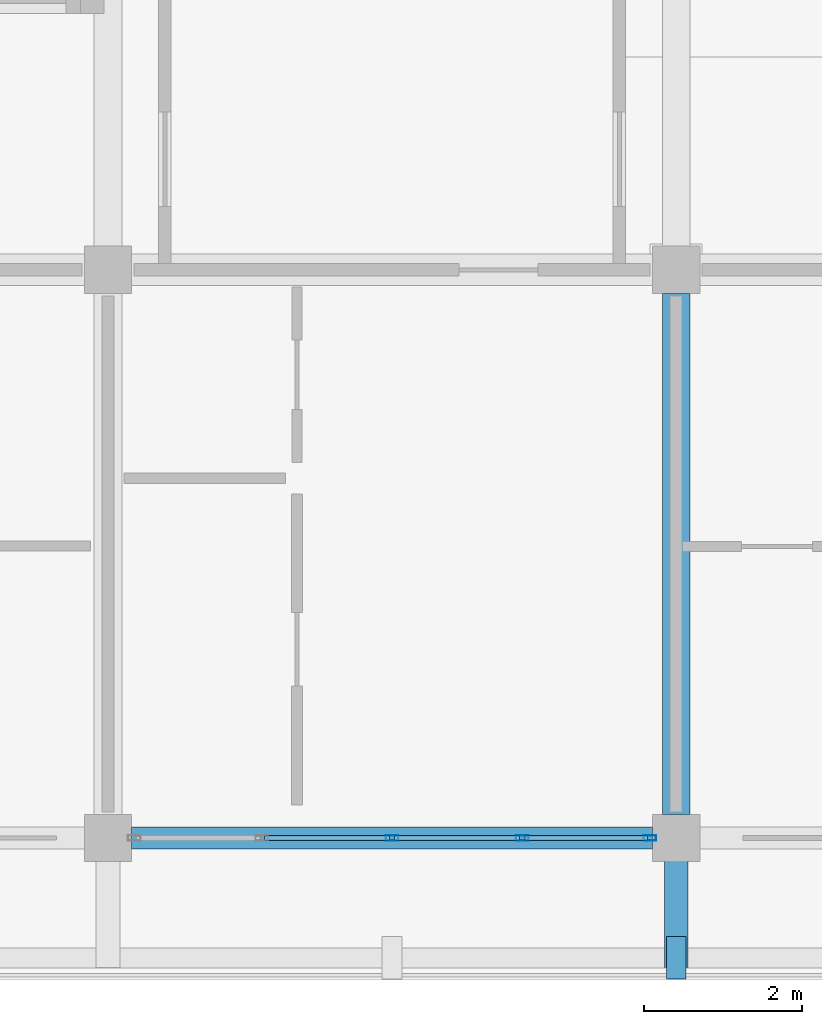
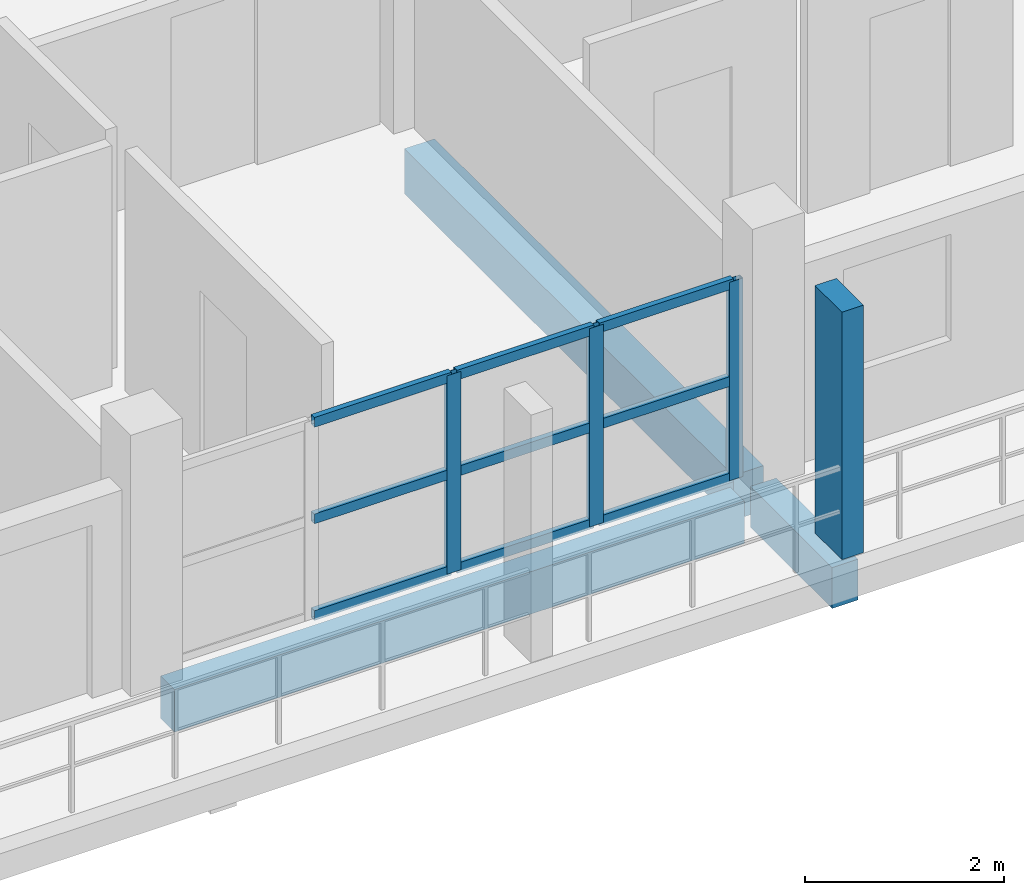
# One storey, part 28 of 78: 13 members, 3 beams, 1 element without a shape of its own.
"""IFC4 building model written with IfcOpenShell, lengths in metres."""

from ifc_helpers import new_model, si_unit, direction, frame, origin, origin_2d, place, context, subcontext, project, spatial, rectangle, hollow_rectangle, extrude, material, material_profile, profile_set, type_object, element, aggregate, save


model = new_model("IFC4")

# Units and contexts
model_context = context("Model", 3, precision=1e-05, world=origin(), true_north=direction((0.0, 1.0)))
body_context = subcontext(model_context, "Body", "Model", "MODEL_VIEW")
ifc_project = project(units=[si_unit("LENGTHUNIT", "METRE"), si_unit("AREAUNIT", "SQUARE_METRE"), si_unit("VOLUMEUNIT", "CUBIC_METRE"), si_unit("PLANEANGLEUNIT", "RADIAN"), si_unit("MASSUNIT", "GRAM", prefix="KILO")], contexts=[model_context])

# Site, building, storey
site_placement = place(None, origin())
site = spatial("IfcSite", under=ifc_project, at=site_placement, CompositionType="ELEMENT")
building_placement = place(site_placement, origin())
building = spatial("IfcBuilding", under=site, at=building_placement, Name="Suanplinth Sawtooth Commons", CompositionType="ELEMENT")
storey_placement = place(building_placement, frame((0.0, 0.0, 15.39990234375)))
storey = spatial("IfcBuildingStorey", under=building, at=storey_placement, Name="L04", CompositionType="ELEMENT", Elevation=15.39990234375)

# Beams
ifc_material_1 = material(Name="Precast concrete C40/50", Category="concrete")
ifc_material_profile_1 = material_profile(ifc_material_1, rectangle(XDim=0.35009765625, YDim=0.550048828125, at=origin_2d()), Name="PC-BM 350x550")
ifc_profile_set_1 = profile_set([ifc_material_profile_1], Name="Precast concrete C40/50")
beam_type_1 = type_object("IfcBeamType", Name="B-06", PredefinedType="BEAM", material=ifc_profile_set_1)
beam_1_placement = place(storey_placement, frame((172.800048828125, 0.300048828125, -0.494873046875), z_axis=(0.0, 1.0, 0.0), x_axis=(-1.0, 0.0, 0.0)))
element("IfcBeam", 1, at=beam_1_placement, inside=storey, type_object=beam_type_1, Name="BMY-L04-C-24-0", PredefinedType="BEAM", context=body_context, shape_type="SweptSolid", body=[
    extrude(rectangle(XDim=0.35009765625, YDim=0.550048828125, at=origin_2d()), origin(), (0.0, 0.0, 1.0), 6.599853515625),
])
ifc_material_profile_2 = material_profile(ifc_material_1, rectangle(XDim=0.300048828125, YDim=0.5, at=origin_2d()), Name="PC-BM 300x500")
ifc_profile_set_2 = profile_set([ifc_material_profile_2], Name="Precast concrete C40/50")
beam_type_2 = type_object("IfcBeamType", Name="B-07", PredefinedType="BEAM", material=ifc_profile_set_2)
beam_2_placement = place(storey_placement, frame((172.800048828125, 0.0, -0.429931640625), z_axis=(0.0, -1.0, 0.0), x_axis=(1.0, 0.0, 0.0)))
element("IfcBeam", 2, at=beam_2_placement, inside=storey, type_object=beam_type_2, Name="Balcony Outrigger L04-C-S-24", PredefinedType="BEAM", context=body_context, shape_type="SweptSolid", body=[
    extrude(rectangle(XDim=0.300048828125, YDim=0.5, at=origin_2d()), origin(), (0.0, 0.0, 1.0), 1.639892578125),
])
ifc_material_profile_3 = material_profile(ifc_material_1, rectangle(XDim=0.280029296875, YDim=0.52001953125, at=origin_2d()), Name="PC-SP 280x520")
ifc_profile_set_3 = profile_set([ifc_material_profile_3], Name="Precast concrete C40/50")
beam_type_3 = type_object("IfcBeamType", Name="B-08", PredefinedType="SPANDREL", material=ifc_profile_set_3)
beam_3_placement = place(storey_placement, frame((165.89990234375, 0.0, -0.47998046875), z_axis=(1.0, 0.0, 0.0), x_axis=(0.0, 1.0, 0.0)))
element("IfcBeam", 3, at=beam_3_placement, inside=storey, type_object=beam_type_3, Name="BMX-L04-C-23-0", PredefinedType="SPANDREL", context=body_context, shape_type="SweptSolid", body=[
    extrude(rectangle(XDim=0.280029296875, YDim=0.52001953125, at=origin_2d()), origin(), (0.0, 0.0, 1.0), 6.60009765625),
])

# Member
ifc_material_2 = material(Name="Pigmented precast concrete C40/50", Category="concrete")
ifc_material_profile_4 = material_profile(ifc_material_2, rectangle(XDim=0.25, YDim=0.5400390625, at=origin_2d()), Name="PC-FIN 250x540")
ifc_profile_set_4 = profile_set([ifc_material_profile_4], Name="Pigmented precast concrete C40/50")
member_type_1 = type_object("IfcMemberType", Name="M-11", PredefinedType="USERDEFINED", material=ifc_profile_set_4)
member_1_placement = place(storey_placement, frame((172.800048828125, -1.52001953125, 0.0), z_axis=(0.0, 0.0, 1.0), x_axis=(1.0, 0.0, 0.0)))
element("IfcMember", 4, at=member_1_placement, inside=storey, type_object=member_type_1, Name="Upright Solar Blade L04-C-S-06", ObjectType="SHADING FIN", PredefinedType="USERDEFINED", context=body_context, shape_type="SweptSolid", body=[
    extrude(rectangle(XDim=0.25, YDim=0.5400390625, at=origin_2d()), origin(), (0.0, 0.0, 1.0), 3.030029296875),
])

# Curtain wall, members
ifc_material_3 = material(Name="Anodized aluminium and low-E glazing", Category="aluminium")
curtain_wall_type = type_object("IfcCurtainWallType", Name="CW-06", PredefinedType="USERDEFINED", material=ifc_material_3)
curtain_wall_placement = place(storey_placement, origin())
curtain_wall = element("IfcCurtainWall", 5, at=curtain_wall_placement, inside=storey, type_object=curtain_wall_type, Name="Curtain Wall CW-L04-C-LOUNGE-23", ObjectType="CURTAIN WALL", PredefinedType="USERDEFINED")
ifc_material_4 = material(Name="Anodized aluminium 6063-T6", Category="aluminium")
ifc_material_profile_5 = material_profile(ifc_material_4, hollow_rectangle(XDim=0.06494140625, YDim=0.159912109375, WallThickness=0.00390625, at=origin_2d()), Name="ALU-MUL 65x160")
ifc_profile_set_5 = profile_set([ifc_material_profile_5], Name="Anodized aluminium 6063-T6")
member_type_2 = type_object("IfcMemberType", Name="M-13", PredefinedType="MULLION", material=ifc_profile_set_5)
member_2_placement = place(storey_placement, frame((169.199951171875, 0.0, 0.0), z_axis=(0.0, 0.0, 1.0), x_axis=(0.0, 1.0, 0.0)))
member_2 = element("IfcMember", 6, at=member_2_placement, type_object=member_type_2, Name="CW-06 mullion 3", PredefinedType="MULLION", context=body_context, shape_type="SweptSolid", body=[
    extrude(hollow_rectangle(XDim=0.06494140625, YDim=0.159912109375, WallThickness=0.00390625, at=origin_2d()), origin(), (0.0, 0.0, 1.0), 2.43017578125),
])
member_3_placement = place(storey_placement, frame((170.85009765625, 0.0, 0.0), z_axis=(0.0, 0.0, 1.0), x_axis=(0.0, 1.0, 0.0)))
member_3 = element("IfcMember", 7, at=member_3_placement, type_object=member_type_2, Name="CW-06 mullion 4", PredefinedType="MULLION", context=body_context, shape_type="SweptSolid", body=[
    extrude(hollow_rectangle(XDim=0.06494140625, YDim=0.159912109375, WallThickness=0.00390625, at=origin_2d()), origin(), (0.0, 0.0, 1.0), 2.43017578125),
])
member_4_placement = place(storey_placement, frame((172.467529296875, 0.0, 0.0), z_axis=(0.0, 0.0, 1.0), x_axis=(0.0, 1.0, 0.0)))
member_4 = element("IfcMember", 8, at=member_4_placement, type_object=member_type_2, Name="CW-06 mullion 5", PredefinedType="MULLION", context=body_context, shape_type="SweptSolid", body=[
    extrude(hollow_rectangle(XDim=0.06494140625, YDim=0.159912109375, WallThickness=0.00390625, at=origin_2d()), origin(), (0.0, 0.0, 1.0), 2.43017578125),
])
ifc_material_profile_6 = material_profile(ifc_material_4, hollow_rectangle(XDim=0.06494140625, YDim=0.1201171875, WallThickness=0.00390625, at=origin_2d()), Name="ALU-TRN 65x120")
ifc_profile_set_6 = profile_set([ifc_material_profile_6], Name="Anodized aluminium 6063-T6")
member_type_3 = type_object("IfcMemberType", Name="M-15", PredefinedType="USERDEFINED", material=ifc_profile_set_6)
member_5_placement = place(storey_placement, frame((167.58251953125, 0.0, 0.03271484375), z_axis=(1.0, 0.0, 0.0), x_axis=(0.0, 1.0, 0.0)))
member_5 = element("IfcMember", 9, at=member_5_placement, type_object=member_type_3, Name="CW-06 transom 2.1", ObjectType="TRANSOM", PredefinedType="USERDEFINED", context=body_context, shape_type="SweptSolid", body=[
    extrude(hollow_rectangle(XDim=0.06494140625, YDim=0.1201171875, WallThickness=0.00390625, at=origin_2d()), origin(), (0.0, 0.0, 1.0), 1.5849609375),
])
member_6_placement = place(storey_placement, frame((167.58251953125, 0.0, 1.215087890625), z_axis=(1.0, 0.0, 0.0), x_axis=(0.0, 1.0, 0.0)))
member_6 = element("IfcMember", 10, at=member_6_placement, type_object=member_type_3, Name="CW-06 transom 2.2", ObjectType="TRANSOM", PredefinedType="USERDEFINED", context=body_context, shape_type="SweptSolid", body=[
    extrude(hollow_rectangle(XDim=0.06494140625, YDim=0.1201171875, WallThickness=0.00390625, at=origin_2d()), origin(), (0.0, 0.0, 1.0), 1.5849609375),
])
member_7_placement = place(storey_placement, frame((167.58251953125, 0.0, 2.397705078125), z_axis=(1.0, 0.0, 0.0), x_axis=(0.0, 1.0, 0.0)))
member_7 = element("IfcMember", 11, at=member_7_placement, type_object=member_type_3, Name="CW-06 transom 2.3", ObjectType="TRANSOM", PredefinedType="USERDEFINED", context=body_context, shape_type="SweptSolid", body=[
    extrude(hollow_rectangle(XDim=0.06494140625, YDim=0.1201171875, WallThickness=0.00390625, at=origin_2d()), origin(), (0.0, 0.0, 1.0), 1.5849609375),
])
member_8_placement = place(storey_placement, frame((169.232421875, 0.0, 0.03271484375), z_axis=(1.0, 0.0, 0.0), x_axis=(0.0, 1.0, 0.0)))
member_8 = element("IfcMember", 12, at=member_8_placement, type_object=member_type_3, Name="CW-06 transom 3.1", ObjectType="TRANSOM", PredefinedType="USERDEFINED", context=body_context, shape_type="SweptSolid", body=[
    extrude(hollow_rectangle(XDim=0.06494140625, YDim=0.1201171875, WallThickness=0.00390625, at=origin_2d()), origin(), (0.0, 0.0, 1.0), 1.5849609375),
])
member_9_placement = place(storey_placement, frame((169.232421875, 0.0, 1.215087890625), z_axis=(1.0, 0.0, 0.0), x_axis=(0.0, 1.0, 0.0)))
member_9 = element("IfcMember", 13, at=member_9_placement, type_object=member_type_3, Name="CW-06 transom 3.2", ObjectType="TRANSOM", PredefinedType="USERDEFINED", context=body_context, shape_type="SweptSolid", body=[
    extrude(hollow_rectangle(XDim=0.06494140625, YDim=0.1201171875, WallThickness=0.00390625, at=origin_2d()), origin(), (0.0, 0.0, 1.0), 1.5849609375),
])
member_10_placement = place(storey_placement, frame((169.232421875, 0.0, 2.397705078125), z_axis=(1.0, 0.0, 0.0), x_axis=(0.0, 1.0, 0.0)))
member_10 = element("IfcMember", 14, at=member_10_placement, type_object=member_type_3, Name="CW-06 transom 3.3", ObjectType="TRANSOM", PredefinedType="USERDEFINED", context=body_context, shape_type="SweptSolid", body=[
    extrude(hollow_rectangle(XDim=0.06494140625, YDim=0.1201171875, WallThickness=0.00390625, at=origin_2d()), origin(), (0.0, 0.0, 1.0), 1.5849609375),
])
member_11_placement = place(storey_placement, frame((170.882568359375, 0.0, 0.03271484375), z_axis=(1.0, 0.0, 0.0), x_axis=(0.0, 1.0, 0.0)))
member_11 = element("IfcMember", 15, at=member_11_placement, type_object=member_type_3, Name="CW-06 transom 4.1", ObjectType="TRANSOM", PredefinedType="USERDEFINED", context=body_context, shape_type="SweptSolid", body=[
    extrude(hollow_rectangle(XDim=0.06494140625, YDim=0.1201171875, WallThickness=0.00390625, at=origin_2d()), origin(), (0.0, 0.0, 1.0), 1.552490234375),
])
member_12_placement = place(storey_placement, frame((170.882568359375, 0.0, 1.215087890625), z_axis=(1.0, 0.0, 0.0), x_axis=(0.0, 1.0, 0.0)))
member_12 = element("IfcMember", 16, at=member_12_placement, type_object=member_type_3, Name="CW-06 transom 4.2", ObjectType="TRANSOM", PredefinedType="USERDEFINED", context=body_context, shape_type="SweptSolid", body=[
    extrude(hollow_rectangle(XDim=0.06494140625, YDim=0.1201171875, WallThickness=0.00390625, at=origin_2d()), origin(), (0.0, 0.0, 1.0), 1.552490234375),
])
member_13_placement = place(storey_placement, frame((170.882568359375, 0.0, 2.397705078125), z_axis=(1.0, 0.0, 0.0), x_axis=(0.0, 1.0, 0.0)))
member_13 = element("IfcMember", 17, at=member_13_placement, type_object=member_type_3, Name="CW-06 transom 4.3", ObjectType="TRANSOM", PredefinedType="USERDEFINED", context=body_context, shape_type="SweptSolid", body=[
    extrude(hollow_rectangle(XDim=0.06494140625, YDim=0.1201171875, WallThickness=0.00390625, at=origin_2d()), origin(), (0.0, 0.0, 1.0), 1.552490234375),
])
aggregate(curtain_wall, [member_2, member_3, member_4, member_5, member_6, member_7, member_8, member_9, member_10, member_11, member_12, member_13])

save(model, "model.ifc")
